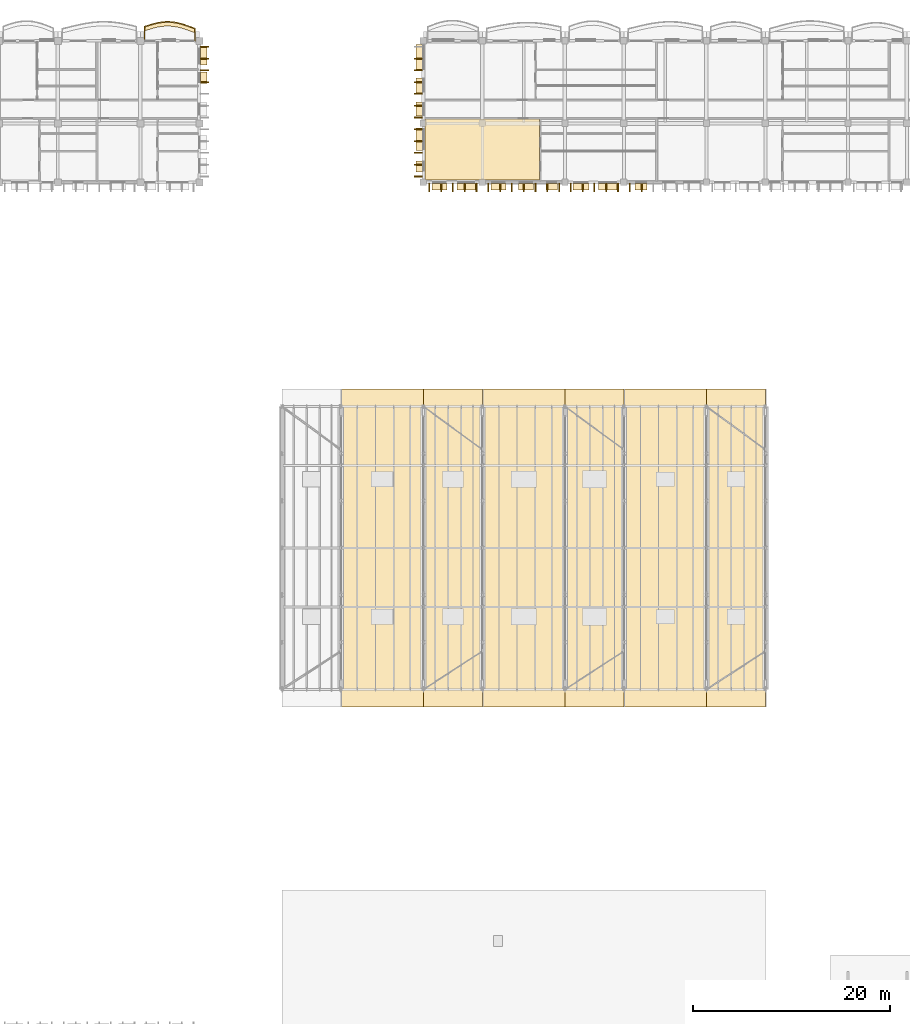
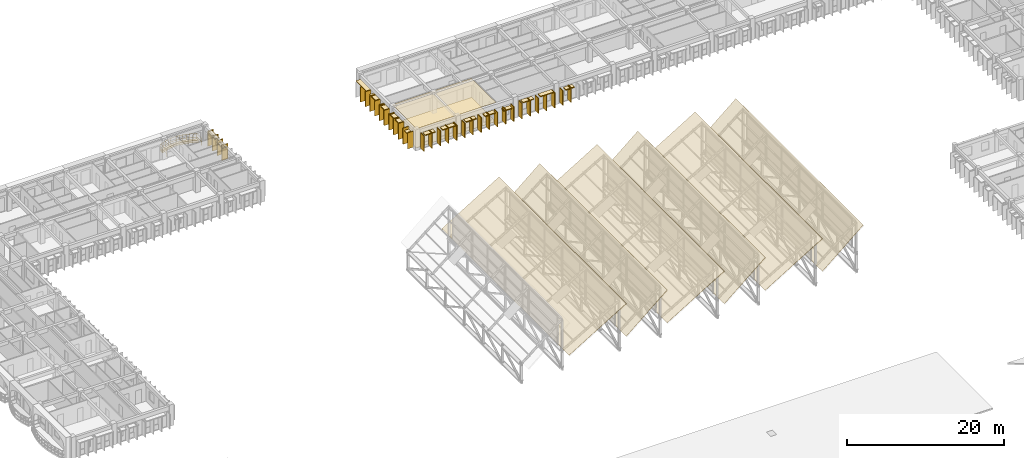
# One storey, part 84 of 101: 58 coverings, 1 railing.
"""IFC4 building model written with IfcOpenShell, lengths in metres."""

from ifc_helpers import new_model, si_unit, direction, frame, origin, origin_2d, place, context, subcontext, project, spatial, polyline, rectangle, outline, extrude, material, layer, layer_set, type_object, element, save


model = new_model("IFC4")

# Units and contexts
model_context = context("Model", 3, precision=1e-05, world=origin(), true_north=direction((0.0, 1.0)))
body_context = subcontext(model_context, "Body", "Model", "MODEL_VIEW")
ifc_project = project(units=[si_unit("LENGTHUNIT", "METRE"), si_unit("AREAUNIT", "SQUARE_METRE"), si_unit("VOLUMEUNIT", "CUBIC_METRE"), si_unit("PLANEANGLEUNIT", "RADIAN"), si_unit("MASSUNIT", "GRAM", prefix="KILO"), si_unit("THERMODYNAMICTEMPERATUREUNIT", "KELVIN")], contexts=[model_context])

# Site, building, storey
site_placement = place(None, origin())
site = spatial("IfcSite", under=ifc_project, at=site_placement, CompositionType="ELEMENT")
building_placement = place(site_placement, origin())
building = spatial("IfcBuilding", under=site, at=building_placement, Name="Thalorik Housing Commons", CompositionType="ELEMENT")
storey_placement = place(building_placement, frame((0.0, 0.0, 8.10009765625)))
storey = spatial("IfcBuildingStorey", under=building, at=storey_placement, Name="L02", CompositionType="ELEMENT", Elevation=8.10009765625)

# Coverings
ifc_material_1 = material(Name="Precast concrete C40/50", Category="concrete")
ifc_layer_1 = layer(ifc_material_1, 0.85009765625, Name="Precast concrete C40/50", Category="concrete")
ifc_layer_set_1 = layer_set([ifc_layer_1], Name="Precast concrete C40/50")
covering_type_1 = type_object("IfcCoveringType", Name="ARC-CLD-FIN-850", PredefinedType="CLADDING", material=ifc_layer_set_1)
for number, where, z_axis, x_axis, name in (
    (1, (58.132568359375, 119.39990234375, 0.0400390625), (0.0, 0.0, 1.0), (0.0, 1.0, 0.0), "L02 Courtyard Precast Vertical Brise-Soleil Fin 175"),
    (2, (58.132568359375, 120.60009765625, 0.0400390625), (0.0, 0.0, 1.0), (0.0, 1.0, 0.0), "L02 Courtyard Precast Vertical Brise-Soleil Fin 176"),
    (3, (58.132568359375, 121.800048828125, 0.0400390625), (0.0, 0.0, 1.0), (0.0, 1.0, 0.0), "L02 Courtyard Precast Vertical Brise-Soleil Fin 177"),
    (4, (58.132568359375, 123.0, 0.0400390625), (0.0, 0.0, 1.0), (0.0, 1.0, 0.0), "L02 Courtyard Precast Vertical Brise-Soleil Fin 178"),
    (5, (79.87255859375, 121.800048828125, 0.0400390625), (0.0, 0.0, 1.0), (0.0, -1.0, 0.0), "L02 Courtyard Precast Vertical Brise-Soleil Fin 1681"),
    (6, (79.87255859375, 120.60009765625, 0.0400390625), (0.0, 0.0, 1.0), (0.0, -1.0, 0.0), "L02 Courtyard Precast Vertical Brise-Soleil Fin 1682"),
    (7, (79.87255859375, 119.39990234375, 0.0400390625), (0.0, 0.0, 1.0), (0.0, -1.0, 0.0), "L02 Courtyard Precast Vertical Brise-Soleil Fin 1683"),
    (8, (79.87255859375, 118.199951171875, 0.0400390625), (0.0, 0.0, 1.0), (0.0, -1.0, 0.0), "L02 Courtyard Precast Vertical Brise-Soleil Fin 1684"),
    (9, (79.87255859375, 117.0, 0.0400390625), (0.0, 0.0, 1.0), (0.0, -1.0, 0.0), "L02 Courtyard Precast Vertical Brise-Soleil Fin 1685"),
    (10, (79.87255859375, 115.800048828125, 0.0400390625), (0.0, 0.0, 1.0), (0.0, -1.0, 0.0), "L02 Courtyard Precast Vertical Brise-Soleil Fin 1686"),
):
    element("IfcCovering", number, at=place(storey_placement, frame(where, z_axis=z_axis, x_axis=x_axis)), inside=storey, type_object=covering_type_1, Name=name, PredefinedType="CLADDING", context=body_context, shape_type="SweptSolid", body=[
        extrude(rectangle(XDim=0.110107421875, YDim=0.85009765625, at=origin_2d()), origin(), (0.0, 0.0, 1.0), 2.344970703125),
    ])
for number, where, z_axis, x_axis, name in (
    (11, (79.87255859375, 114.60009765625, 0.039794921875), (0.0, 0.0, 1.0), (0.0, -1.0, 0.0), "L02 Courtyard Precast Vertical Brise-Soleil Fin 1690"),
    (12, (79.87255859375, 113.39990234375, 0.039794921875), (0.0, 0.0, 1.0), (0.0, -1.0, 0.0), "L02 Courtyard Precast Vertical Brise-Soleil Fin 1691"),
    (13, (79.87255859375, 112.199951171875, 0.039794921875), (0.0, 0.0, 1.0), (0.0, -1.0, 0.0), "L02 Courtyard Precast Vertical Brise-Soleil Fin 1692"),
    (14, (79.87255859375, 111.0, 0.039794921875), (0.0, 0.0, 1.0), (0.0, -1.0, 0.0), "L02 Courtyard Precast Vertical Brise-Soleil Fin 1693"),
    (15, (79.87255859375, 109.800048828125, 0.039794921875), (0.0, 0.0, 1.0), (0.0, -1.0, 0.0), "L02 Courtyard Precast Vertical Brise-Soleil Fin 1694"),
):
    element("IfcCovering", number, at=place(storey_placement, frame(where, z_axis=z_axis, x_axis=x_axis)), inside=storey, type_object=covering_type_1, Name=name, PredefinedType="CLADDING", context=body_context, shape_type="SweptSolid", body=[
        extrude(rectangle(XDim=0.110107421875, YDim=0.85009765625, at=origin_2d()), origin(), (0.0, 0.0, 1.0), 2.4951171875),
    ])
for number, where, z_axis, x_axis, name in (
    (16, (81.0, 108.672607421875, 0.039794921875), (0.0, 0.0, 1.0), (1.0, 0.0, 0.0), "L02 Courtyard Precast Vertical Brise-Soleil Fin 1697"),
    (17, (82.199951171875, 108.672607421875, 0.039794921875), (0.0, 0.0, 1.0), (1.0, 0.0, 0.0), "L02 Courtyard Precast Vertical Brise-Soleil Fin 1698"),
    (18, (83.39990234375, 108.672607421875, 0.039794921875), (0.0, 0.0, 1.0), (1.0, 0.0, 0.0), "L02 Courtyard Precast Vertical Brise-Soleil Fin 1699"),
    (19, (84.60009765625, 108.672607421875, 0.039794921875), (0.0, 0.0, 1.0), (1.0, 0.0, 0.0), "L02 Courtyard Precast Vertical Brise-Soleil Fin 1700"),
    (20, (85.800048828125, 108.672607421875, 0.039794921875), (0.0, 0.0, 1.0), (1.0, 0.0, 0.0), "L02 Courtyard Precast Vertical Brise-Soleil Fin 1701"),
):
    element("IfcCovering", number, at=place(storey_placement, frame(where, z_axis=z_axis, x_axis=x_axis)), inside=storey, type_object=covering_type_1, Name=name, PredefinedType="CLADDING", context=body_context, shape_type="SweptSolid", body=[
        extrude(rectangle(XDim=0.110107421875, YDim=0.85009765625, at=origin_2d()), origin(), (0.0, 0.0, 1.0), 2.39501953125),
    ])
for number, where, z_axis, x_axis, name in (
    (21, (87.0, 108.672607421875, 0.0400390625), (0.0, 0.0, 1.0), (1.0, 0.0, 0.0), "L02 Courtyard Precast Vertical Brise-Soleil Fin 1704"),
    (22, (88.199951171875, 108.672607421875, 0.0400390625), (0.0, 0.0, 1.0), (1.0, 0.0, 0.0), "L02 Courtyard Precast Vertical Brise-Soleil Fin 1705"),
    (23, (89.39990234375, 108.672607421875, 0.0400390625), (0.0, 0.0, 1.0), (1.0, 0.0, 0.0), "L02 Courtyard Precast Vertical Brise-Soleil Fin 1706"),
    (24, (90.60009765625, 108.672607421875, 0.0400390625), (0.0, 0.0, 1.0), (1.0, 0.0, 0.0), "L02 Courtyard Precast Vertical Brise-Soleil Fin 1707"),
    (25, (91.800048828125, 108.672607421875, 0.0400390625), (0.0, 0.0, 1.0), (1.0, 0.0, 0.0), "L02 Courtyard Precast Vertical Brise-Soleil Fin 1708"),
    (26, (93.0, 108.672607421875, 0.0400390625), (0.0, 0.0, 1.0), (1.0, 0.0, 0.0), "L02 Courtyard Precast Vertical Brise-Soleil Fin 1709"),
    (27, (94.199951171875, 108.672607421875, 0.0400390625), (0.0, 0.0, 1.0), (1.0, 0.0, 0.0), "L02 Courtyard Precast Vertical Brise-Soleil Fin 1710"),
):
    element("IfcCovering", number, at=place(storey_placement, frame(where, z_axis=z_axis, x_axis=x_axis)), inside=storey, type_object=covering_type_1, Name=name, PredefinedType="CLADDING", context=body_context, shape_type="SweptSolid", body=[
        extrude(rectangle(XDim=0.110107421875, YDim=0.85009765625, at=origin_2d()), origin(), (0.0, 0.0, 1.0), 2.294921875),
    ])
for number, where, z_axis, x_axis, name in (
    (28, (95.39990234375, 108.672607421875, 0.039794921875), (0.0, 0.0, 1.0), (1.0, 0.0, 0.0), "L02 Courtyard Precast Vertical Brise-Soleil Fin 1714"),
    (29, (96.60009765625, 108.672607421875, 0.039794921875), (0.0, 0.0, 1.0), (1.0, 0.0, 0.0), "L02 Courtyard Precast Vertical Brise-Soleil Fin 1715"),
    (30, (97.800048828125, 108.672607421875, 0.039794921875), (0.0, 0.0, 1.0), (1.0, 0.0, 0.0), "L02 Courtyard Precast Vertical Brise-Soleil Fin 1716"),
    (31, (99.0, 108.672607421875, 0.039794921875), (0.0, 0.0, 1.0), (1.0, 0.0, 0.0), "L02 Courtyard Precast Vertical Brise-Soleil Fin 1717"),
    (32, (100.199951171875, 108.672607421875, 0.039794921875), (0.0, 0.0, 1.0), (1.0, 0.0, 0.0), "L02 Courtyard Precast Vertical Brise-Soleil Fin 1718"),
):
    element("IfcCovering", number, at=place(storey_placement, frame(where, z_axis=z_axis, x_axis=x_axis)), inside=storey, type_object=covering_type_1, Name=name, PredefinedType="CLADDING", context=body_context, shape_type="SweptSolid", body=[
        extrude(rectangle(XDim=0.110107421875, YDim=0.85009765625, at=origin_2d()), origin(), (0.0, 0.0, 1.0), 2.39501953125),
    ])
for number, where, z_axis, x_axis, name in (
    (33, (101.39990234375, 108.672607421875, 0.0400390625), (0.0, 0.0, 1.0), (1.0, 0.0, 0.0), "L02 Courtyard Precast Vertical Brise-Soleil Fin 1721"),
    (34, (102.60009765625, 108.672607421875, 0.0400390625), (0.0, 0.0, 1.0), (1.0, 0.0, 0.0), "L02 Courtyard Precast Vertical Brise-Soleil Fin 1722"),
):
    element("IfcCovering", number, at=place(storey_placement, frame(where, z_axis=z_axis, x_axis=x_axis)), inside=storey, type_object=covering_type_1, Name=name, PredefinedType="CLADDING", context=body_context, shape_type="SweptSolid", body=[
        extrude(rectangle(XDim=0.110107421875, YDim=0.85009765625, at=origin_2d()), origin(), (0.0, 0.0, 1.0), 2.294921875),
    ])
ifc_layer_2 = layer(ifc_material_1, 0.64990234375, Name="Precast concrete C40/50", Category="concrete")
ifc_layer_set_2 = layer_set([ifc_layer_2], Name="Precast concrete C40/50")
covering_type_2 = type_object("IfcCoveringType", Name="ARC-CLD-HOOD-650", PredefinedType="CLADDING", material=ifc_layer_set_2)
covering_1_placement = place(storey_placement, frame((58.032470703125, 119.8447265625, 1.93994140625), z_axis=(0.0, 0.0, 1.0), x_axis=(0.0, 1.0, 0.0)))
element("IfcCovering", 35, at=covering_1_placement, inside=storey, type_object=covering_type_2, Name="L02 Courtyard Precast Window Sun-Hood 180", PredefinedType="CLADDING", context=body_context, shape_type="SweptSolid", body=[
    extrude(rectangle(XDim=1.18994140625, YDim=0.64990234375, at=origin_2d()), origin(), (0.0, 0.0, 1.0), 0.139892578125),
])
covering_2_placement = place(storey_placement, frame((58.032470703125, 122.044677734375, 2.18994140625), z_axis=(0.0, 0.0, 1.0), x_axis=(0.0, 1.0, 0.0)))
element("IfcCovering", 36, at=covering_2_placement, inside=storey, type_object=covering_type_2, Name="L02 Courtyard Precast Window Sun-Hood 181", PredefinedType="CLADDING", context=body_context, shape_type="SweptSolid", body=[
    extrude(rectangle(XDim=1.7900390625, YDim=0.64990234375, at=origin_2d()), origin(), (0.0, 0.0, 1.0), 0.139892578125),
])
covering_3_placement = place(storey_placement, frame((79.972412109375, 121.91748046875, 2.27001953125), z_axis=(0.0, 0.0, 1.0), x_axis=(0.0, -1.0, 0.0)))
element("IfcCovering", 37, at=covering_3_placement, inside=storey, type_object=covering_type_2, Name="L02 Courtyard Precast Window Sun-Hood 1687", PredefinedType="CLADDING", context=body_context, shape_type="SweptSolid", body=[
    extrude(rectangle(XDim=2.6201171875, YDim=0.64990234375, at=origin_2d()), origin(), (0.0, 0.0, 1.0), 0.139892578125),
])
covering_4_placement = place(storey_placement, frame((79.972412109375, 119.072509765625, 2.18994140625), z_axis=(0.0, 0.0, 1.0), x_axis=(0.0, -1.0, 0.0)))
element("IfcCovering", 38, at=covering_4_placement, inside=storey, type_object=covering_type_2, Name="L02 Courtyard Precast Window Sun-Hood 1688", PredefinedType="CLADDING", context=body_context, shape_type="SweptSolid", body=[
    extrude(rectangle(XDim=1.5400390625, YDim=0.64990234375, at=origin_2d()), origin(), (0.0, 0.0, 1.0), 0.139892578125),
])
covering_5_placement = place(storey_placement, frame((79.972412109375, 116.64990234375, 2.14013671875), z_axis=(0.0, 0.0, 1.0), x_axis=(0.0, -1.0, 0.0)))
element("IfcCovering", 39, at=covering_5_placement, inside=storey, type_object=covering_type_2, Name="L02 Courtyard Precast Window Sun-Hood 1689", PredefinedType="CLADDING", context=body_context, shape_type="SweptSolid", body=[
    extrude(rectangle(XDim=1.43994140625, YDim=0.64990234375, at=origin_2d()), origin(), (0.0, 0.0, 1.0), 0.139892578125),
])
covering_6_placement = place(storey_placement, frame((79.972412109375, 113.570068359375, 2.25), z_axis=(0.0, 0.0, 1.0), x_axis=(0.0, -1.0, 0.0)))
element("IfcCovering", 40, at=covering_6_placement, inside=storey, type_object=covering_type_2, Name="L02 Courtyard Precast Window Sun-Hood 1695", PredefinedType="CLADDING", context=body_context, shape_type="SweptSolid", body=[
    extrude(rectangle(XDim=2.280029296875, YDim=0.64990234375, at=origin_2d()), origin(), (0.0, 0.0, 1.0), 0.139892578125),
])
covering_7_placement = place(storey_placement, frame((79.972412109375, 110.830078125, 1.98974609375), z_axis=(0.0, 0.0, 1.0), x_axis=(0.0, -1.0, 0.0)))
element("IfcCovering", 41, at=covering_7_placement, inside=storey, type_object=covering_type_2, Name="L02 Courtyard Precast Window Sun-Hood 1696", PredefinedType="CLADDING", context=body_context, shape_type="SweptSolid", body=[
    extrude(rectangle(XDim=1.139892578125, YDim=0.64990234375, at=origin_2d()), origin(), (0.0, 0.0, 1.0), 0.139892578125),
])
covering_8_placement = place(storey_placement, frame((82.030029296875, 108.7724609375, 2.23974609375), z_axis=(0.0, 0.0, 1.0), x_axis=(1.0, 0.0, 0.0)))
element("IfcCovering", 42, at=covering_8_placement, inside=storey, type_object=covering_type_2, Name="L02 Courtyard Precast Window Sun-Hood 1702", PredefinedType="CLADDING", context=body_context, shape_type="SweptSolid", body=[
    extrude(rectangle(XDim=1.489990234375, YDim=0.64990234375, at=origin_2d()), origin(), (0.0, 0.0, 1.0), 0.139892578125),
])
covering_9_placement = place(storey_placement, frame((84.77001953125, 108.7724609375, 2.169921875), z_axis=(0.0, 0.0, 1.0), x_axis=(1.0, 0.0, 0.0)))
element("IfcCovering", 43, at=covering_9_placement, inside=storey, type_object=covering_type_2, Name="L02 Courtyard Precast Window Sun-Hood 1703", PredefinedType="CLADDING", context=body_context, shape_type="SweptSolid", body=[
    extrude(rectangle(XDim=1.860107421875, YDim=0.64990234375, at=origin_2d()), origin(), (0.0, 0.0, 1.0), 0.139892578125),
])
covering_10_placement = place(storey_placement, frame((88.050048828125, 108.7724609375, 2.18994140625), z_axis=(0.0, 0.0, 1.0), x_axis=(1.0, 0.0, 0.0)))
element("IfcCovering", 44, at=covering_10_placement, inside=storey, type_object=covering_type_2, Name="L02 Courtyard Precast Window Sun-Hood 1711", PredefinedType="CLADDING", context=body_context, shape_type="SweptSolid", body=[
    extrude(rectangle(XDim=1.5400390625, YDim=0.64990234375, at=origin_2d()), origin(), (0.0, 0.0, 1.0), 0.139892578125),
])
covering_11_placement = place(storey_placement, frame((90.830078125, 108.7724609375, 2.08984375), z_axis=(0.0, 0.0, 1.0), x_axis=(1.0, 0.0, 0.0)))
element("IfcCovering", 45, at=covering_11_placement, inside=storey, type_object=covering_type_2, Name="L02 Courtyard Precast Window Sun-Hood 1712", PredefinedType="CLADDING", context=body_context, shape_type="SweptSolid", body=[
    extrude(rectangle(XDim=1.489990234375, YDim=0.64990234375, at=origin_2d()), origin(), (0.0, 0.0, 1.0), 0.139892578125),
])
covering_12_placement = place(storey_placement, frame((93.449951171875, 108.7724609375, 1.93994140625), z_axis=(0.0, 0.0, 1.0), x_axis=(1.0, 0.0, 0.0)))
element("IfcCovering", 46, at=covering_12_placement, inside=storey, type_object=covering_type_2, Name="L02 Courtyard Precast Window Sun-Hood 1713", PredefinedType="CLADDING", context=body_context, shape_type="SweptSolid", body=[
    extrude(rectangle(XDim=1.18994140625, YDim=0.64990234375, at=origin_2d()), origin(), (0.0, 0.0, 1.0), 0.139892578125),
])
covering_13_placement = place(storey_placement, frame((96.429931640625, 108.7724609375, 2.27001953125), z_axis=(0.0, 0.0, 1.0), x_axis=(1.0, 0.0, 0.0)))
element("IfcCovering", 47, at=covering_13_placement, inside=storey, type_object=covering_type_2, Name="L02 Courtyard Precast Window Sun-Hood 1719", PredefinedType="CLADDING", context=body_context, shape_type="SweptSolid", body=[
    extrude(rectangle(XDim=1.6201171875, YDim=0.64990234375, at=origin_2d()), origin(), (0.0, 0.0, 1.0), 0.139892578125),
])
covering_14_placement = place(storey_placement, frame((99.169921875, 108.7724609375, 2.31005859375), z_axis=(0.0, 0.0, 1.0), x_axis=(1.0, 0.0, 0.0)))
element("IfcCovering", 48, at=covering_14_placement, inside=storey, type_object=covering_type_2, Name="L02 Courtyard Precast Window Sun-Hood 1720", PredefinedType="CLADDING", context=body_context, shape_type="SweptSolid", body=[
    extrude(rectangle(XDim=1.9599609375, YDim=0.64990234375, at=origin_2d()), origin(), (0.0, 0.0, 1.0), 0.139892578125),
])
covering_15_placement = place(storey_placement, frame((102.554931640625, 108.7724609375, 2.0400390625), z_axis=(0.0, 0.0, 1.0), x_axis=(1.0, 0.0, 0.0)))
element("IfcCovering", 49, at=covering_15_placement, inside=storey, type_object=covering_type_2, Name="L02 Courtyard Precast Window Sun-Hood 1728", PredefinedType="CLADDING", context=body_context, shape_type="SweptSolid", body=[
    extrude(rectangle(XDim=1.239990234375, YDim=0.64990234375, at=origin_2d()), origin(), (0.0, 0.0, 1.0), 0.139892578125),
])
ifc_material_2 = material(Name="Moisture-resistant gypsum bathroom ceiling")
ifc_layer_3 = layer(ifc_material_2, 0.02490234375, Name="Moisture-resistant gypsum bathroom ceiling")
ifc_layer_set_3 = layer_set([ifc_layer_3], Name="Moisture-resistant gypsum bathroom ceiling")
covering_type_3 = type_object("IfcCoveringType", Name="ARC-COV-CEIL-04", PredefinedType="CEILING", material=ifc_layer_set_3)
covering_16_placement = place(storey_placement, frame((0.0, 0.0, 2.974853515625)))
element("IfcCovering", 50, at=covering_16_placement, inside=storey, type_object=covering_type_3, Name="L02 Living Dining Room Suspended Ceiling", PredefinedType="CEILING", context=body_context, shape_type="SweptSolid", body=[
    extrude(outline(polyline([(92.219970703125, 109.43994140625), (92.219970703125, 115.639892578125), (80.5400390625, 115.639892578125), (80.5400390625, 109.43994140625), (92.219970703125, 109.43994140625)])), origin(), (0.0, 0.0, 1.0), 0.025146484375),
])
ifc_material_3 = material(Name="Sprung Brazilian oak assembly hall timber floor", Category="wood")
ifc_layer_4 = layer(ifc_material_3, 0.02392578125, Name="Sprung Brazilian oak assembly hall timber floor", Category="wood")
ifc_layer_set_4 = layer_set([ifc_layer_4], Name="Sprung Brazilian oak assembly hall timber floor")
covering_type_4 = type_object("IfcCoveringType", Name="ARC-COV-FLR-04", PredefinedType="FLOORING", material=ifc_layer_set_4)
covering_17_placement = place(storey_placement, origin())
element("IfcCovering", 51, at=covering_17_placement, inside=storey, type_object=covering_type_4, Name="L02 Living Dining Room Flooring", PredefinedType="FLOORING", context=body_context, shape_type="SweptSolid", body=[
    extrude(outline(polyline([(92.219970703125, 109.43994140625), (92.219970703125, 115.639892578125), (80.5400390625, 115.639892578125), (80.5400390625, 109.43994140625), (92.219970703125, 109.43994140625)])), origin(), (0.0, 0.0, 1.0), 0.02392578125),
])
ifc_material_4 = material(Name="Planted vegetated substrate and terracotta trough", Category="masonry")
ifc_layer_5 = layer(ifc_material_4, 0.340087890625, Name="Planted vegetated substrate and terracotta trough", Category="masonry")
ifc_layer_set_5 = layer_set([ifc_layer_5], Name="Planted vegetated substrate and terracotta trough")
covering_type_5 = type_object("IfcCoveringType", Name="ARC-COV-PLANTER", PredefinedType="USERDEFINED", material=ifc_layer_set_5)
covering_18_placement = place(storey_placement, origin())
element("IfcCovering", 52, at=covering_18_placement, inside=storey, type_object=covering_type_5, Name="L02 Balcony Slab-Edge Planted Trough 5321", ObjectType="PLANTER", PredefinedType="USERDEFINED", context=body_context, shape_type="SweptSolid", body=[
    extrude(outline(polyline([(57.179931640625, 124.781982421875), (56.75, 124.946533203125), (56.320068359375, 125.10400390625), (55.889892578125, 125.244384765625), (55.4599609375, 125.358154296875), (55.030029296875, 125.4384765625), (54.60009765625, 125.480224609375), (54.169921875, 125.481201171875), (53.739990234375, 125.4423828125), (53.31005859375, 125.366943359375), (52.8798828125, 125.260986328125), (52.449951171875, 125.1318359375), (52.02001953125, 124.989501953125), (52.02001953125, 124.609619140625), (52.449951171875, 124.751953125), (52.8798828125, 124.880859375), (53.31005859375, 124.987060546875), (53.739990234375, 125.0625), (54.169921875, 125.101318359375), (54.60009765625, 125.10009765625), (55.030029296875, 125.058349609375), (55.4599609375, 124.978271484375), (55.889892578125, 124.864501953125), (56.320068359375, 124.72412109375), (56.75, 124.56640625), (57.179931640625, 124.402099609375), (57.179931640625, 124.781982421875)])), origin(), (0.0, 0.0, 1.0), 0.33984375),
])

# Railing
ifc_material_5 = material(Name="Steel S355", Category="steel")
railing_type = type_object("IfcRailingType", Name="ARC-RL-BAL-115", PredefinedType="BALUSTRADE", material=ifc_material_5)
railing_placement = place(storey_placement, frame((57.179931640625, 123.60009765625, 0.0)))
element("IfcRailing", 53, at=railing_placement, inside=storey, type_object=railing_type, Name="L02 Cushion Balcony Guardrail 5", PredefinedType="BALUSTRADE", context=body_context, shape_type="SweptSolid", body=[
    extrude(rectangle(XDim=0.050048828125, YDim=0.050048828125, at=origin_2d()), frame((0.0, 0.0, 1.125), z_axis=(0.0, 1.0, 0.0), x_axis=(-1.0, 0.0, 0.0)), (0.0, 0.0, 1.0), 1.251953125),
    extrude(rectangle(XDim=0.050048828125, YDim=0.050048828125, at=origin_2d()), frame((0.0, 0.0, 0.5498046875), z_axis=(0.0, 1.0, 0.0), x_axis=(-1.0, 0.0, 0.0)), (0.0, 0.0, 1.0), 1.251953125),
    extrude(rectangle(XDim=0.050048828125, YDim=0.050048828125, at=origin_2d()), frame((0.0, 1.251953125, 1.125), z_axis=(-0.933932105252, 0.357450448007, 0.0), x_axis=(-0.357450448007, -0.933932105252, 0.0)), (0.0, 0.0, 1.0), 0.46044921875),
    extrude(rectangle(XDim=0.050048828125, YDim=0.050048828125, at=origin_2d()), frame((0.0, 1.251953125, 0.5498046875), z_axis=(-0.933932105252, 0.357450448007, 0.0), x_axis=(-0.357450448007, -0.933932105252, 0.0)), (0.0, 0.0, 1.0), 0.46044921875),
    extrude(rectangle(XDim=0.050048828125, YDim=0.050048828125, at=origin_2d()), frame((-0.429931640625, 1.41650390625, 1.125), z_axis=(-0.938996898156, 0.343925610057, 0.0), x_axis=(-0.343925610057, -0.938996898156, 0.0)), (0.0, 0.0, 1.0), 0.457763671875),
    extrude(rectangle(XDim=0.050048828125, YDim=0.050048828125, at=origin_2d()), frame((-0.429931640625, 1.41650390625, 0.5498046875), z_axis=(-0.938996898156, 0.343925610057, 0.0), x_axis=(-0.343925610057, -0.938996898156, 0.0)), (0.0, 0.0, 1.0), 0.457763671875),
    extrude(rectangle(XDim=0.050048828125, YDim=0.050048828125, at=origin_2d()), frame((-0.85986328125, 1.573974609375, 1.125), z_axis=(-0.950660674231, 0.310232626381, 0.0), x_axis=(-0.310232626381, -0.950660674231, 0.0)), (0.0, 0.0, 1.0), 0.452392578125),
    extrude(rectangle(XDim=0.050048828125, YDim=0.050048828125, at=origin_2d()), frame((-0.85986328125, 1.573974609375, 0.5498046875), z_axis=(-0.950660674231, 0.310232626381, 0.0), x_axis=(-0.310232626381, -0.950660674231, 0.0)), (0.0, 0.0, 1.0), 0.452392578125),
    extrude(rectangle(XDim=0.050048828125, YDim=0.050048828125, at=origin_2d()), frame((-1.2900390625, 1.71435546875, 1.125), z_axis=(-0.966725195305, 0.25581711585, 0.0), x_axis=(-0.25581711585, -0.966725195305, 0.0)), (0.0, 0.0, 1.0), 0.44482421875),
    extrude(rectangle(XDim=0.050048828125, YDim=0.050048828125, at=origin_2d()), frame((-1.2900390625, 1.71435546875, 0.5498046875), z_axis=(-0.966725195305, 0.25581711585, 0.0), x_axis=(-0.25581711585, -0.966725195305, 0.0)), (0.0, 0.0, 1.0), 0.44482421875),
    extrude(rectangle(XDim=0.050048828125, YDim=0.050048828125, at=origin_2d()), frame((-1.719970703125, 1.828125, 1.125), z_axis=(-0.983092675585, 0.183108686878, 0.0), x_axis=(-0.183108686878, -0.983092675585, 0.0)), (0.0, 0.0, 1.0), 0.437255859375),
    extrude(rectangle(XDim=0.050048828125, YDim=0.050048828125, at=origin_2d()), frame((-1.719970703125, 1.828125, 0.5498046875), z_axis=(-0.983092675585, 0.183108686878, 0.0), x_axis=(-0.183108686878, -0.983092675585, 0.0)), (0.0, 0.0, 1.0), 0.437255859375),
    extrude(rectangle(XDim=0.050048828125, YDim=0.050048828125, at=origin_2d()), frame((-2.14990234375, 1.908203125, 1.125), z_axis=(-0.995263970634, 0.097209200993, 0.0), x_axis=(-0.097209200993, -0.995263970634, 0.0)), (0.0, 0.0, 1.0), 0.431884765625),
    extrude(rectangle(XDim=0.050048828125, YDim=0.050048828125, at=origin_2d()), frame((-2.14990234375, 1.908203125, 0.5498046875), z_axis=(-0.995263970634, 0.097209200993, 0.0), x_axis=(-0.097209200993, -0.995263970634, 0.0)), (0.0, 0.0, 1.0), 0.431884765625),
    extrude(rectangle(XDim=0.050048828125, YDim=0.050048828125, at=origin_2d()), frame((-2.579833984375, 1.9501953125, 1.125), z_axis=(-0.999997423225, 0.00227014171, 0.0), x_axis=(-0.00227014171, -0.999997423225, 0.0)), (0.0, 0.0, 1.0), 0.43017578125),
    extrude(rectangle(XDim=0.050048828125, YDim=0.050048828125, at=origin_2d()), frame((-2.579833984375, 1.9501953125, 0.5498046875), z_axis=(-0.999997423225, 0.00227014171, 0.0), x_axis=(-0.00227014171, -0.999997423225, 0.0)), (0.0, 0.0, 1.0), 0.43017578125),
    extrude(rectangle(XDim=0.050048828125, YDim=0.050048828125, at=origin_2d()), frame((-3.010009765625, 1.951171875, 1.125), z_axis=(-0.995948647187, -0.089923813119, 0.0), x_axis=(0.089923813119, -0.995948647187, 0.0)), (0.0, 0.0, 1.0), 0.431640625),
    extrude(rectangle(XDim=0.050048828125, YDim=0.050048828125, at=origin_2d()), frame((-3.010009765625, 1.951171875, 0.5498046875), z_axis=(-0.995948647187, -0.089923813119, 0.0), x_axis=(0.089923813119, -0.995948647187, 0.0)), (0.0, 0.0, 1.0), 0.431640625),
    extrude(rectangle(XDim=0.050048828125, YDim=0.050048828125, at=origin_2d()), frame((-3.43994140625, 1.912353515625, 1.125), z_axis=(-0.984952013954, -0.17282803652, 0.0), x_axis=(0.17282803652, -0.984952013954, 0.0)), (0.0, 0.0, 1.0), 0.4365234375),
    extrude(rectangle(XDim=0.050048828125, YDim=0.050048828125, at=origin_2d()), frame((-3.43994140625, 1.912353515625, 0.5498046875), z_axis=(-0.984952013954, -0.17282803652, 0.0), x_axis=(0.17282803652, -0.984952013954, 0.0)), (0.0, 0.0, 1.0), 0.4365234375),
    extrude(rectangle(XDim=0.050048828125, YDim=0.050048828125, at=origin_2d()), frame((-3.869873046875, 1.8369140625, 1.125), z_axis=(-0.970851358426, -0.239682372824, 0.0), x_axis=(0.239682372824, -0.970851358426, 0.0)), (0.0, 0.0, 1.0), 0.443115234375),
    extrude(rectangle(XDim=0.050048828125, YDim=0.050048828125, at=origin_2d()), frame((-3.869873046875, 1.8369140625, 0.5498046875), z_axis=(-0.970851358426, -0.239682372824, 0.0), x_axis=(0.239682372824, -0.970851358426, 0.0)), (0.0, 0.0, 1.0), 0.443115234375),
    extrude(rectangle(XDim=0.050048828125, YDim=0.050048828125, at=origin_2d()), frame((-4.300048828125, 1.730712890625, 1.125), z_axis=(-0.957871185663, -0.287198174918, 0.0), x_axis=(0.287198174918, -0.957871185663, 0.0)), (0.0, 0.0, 1.0), 0.44873046875),
    extrude(rectangle(XDim=0.050048828125, YDim=0.050048828125, at=origin_2d()), frame((-4.300048828125, 1.730712890625, 0.5498046875), z_axis=(-0.957871185663, -0.287198174918, 0.0), x_axis=(0.287198174918, -0.957871185663, 0.0)), (0.0, 0.0, 1.0), 0.44873046875),
    extrude(rectangle(XDim=0.050048828125, YDim=0.050048828125, at=origin_2d()), frame((-4.72998046875, 1.601806640625, 1.125), z_axis=(-0.949328214695, -0.3142863993, 0.0), x_axis=(0.3142863993, -0.949328214695, 0.0)), (0.0, 0.0, 1.0), 0.452880859375),
    extrude(rectangle(XDim=0.050048828125, YDim=0.050048828125, at=origin_2d()), frame((-4.72998046875, 1.601806640625, 0.5498046875), z_axis=(-0.949328214695, -0.3142863993, 0.0), x_axis=(0.3142863993, -0.949328214695, 0.0)), (0.0, 0.0, 1.0), 0.452880859375),
    extrude(rectangle(XDim=0.050048828125, YDim=0.050048828125, at=origin_2d()), frame((-5.159912109375, 1.45947265625, 1.125), z_axis=(0.0, -1.0, 0.0), x_axis=(1.0, 0.0, 0.0)), (0.0, 0.0, 1.0), 1.45947265625),
    extrude(rectangle(XDim=0.050048828125, YDim=0.050048828125, at=origin_2d()), frame((-5.159912109375, 1.45947265625, 0.5498046875), z_axis=(0.0, -1.0, 0.0), x_axis=(1.0, 0.0, 0.0)), (0.0, 0.0, 1.0), 1.45947265625),
    extrude(rectangle(XDim=0.0419921875, YDim=0.0419921875, at=origin_2d()), origin(), (0.0, 0.0, 1.0), 1.099853515625),
    extrude(rectangle(XDim=0.0419921875, YDim=0.0419921875, at=origin_2d()), frame((0.0, 1.251953125, 0.0)), (0.0, 0.0, 1.0), 1.099853515625),
    extrude(rectangle(XDim=0.0419921875, YDim=0.0419921875, at=origin_2d()), frame((-0.429931640625, 1.41650390625, 0.0)), (0.0, 0.0, 1.0), 1.099853515625),
    extrude(rectangle(XDim=0.0419921875, YDim=0.0419921875, at=origin_2d()), frame((-0.85986328125, 1.573974609375, 0.0)), (0.0, 0.0, 1.0), 1.099853515625),
    extrude(rectangle(XDim=0.0419921875, YDim=0.0419921875, at=origin_2d()), frame((-1.2900390625, 1.71435546875, 0.0)), (0.0, 0.0, 1.0), 1.099853515625),
    extrude(rectangle(XDim=0.0419921875, YDim=0.0419921875, at=origin_2d()), frame((-1.719970703125, 1.828125, 0.0)), (0.0, 0.0, 1.0), 1.099853515625),
    extrude(rectangle(XDim=0.0419921875, YDim=0.0419921875, at=origin_2d()), frame((-2.14990234375, 1.908203125, 0.0)), (0.0, 0.0, 1.0), 1.099853515625),
    extrude(rectangle(XDim=0.0419921875, YDim=0.0419921875, at=origin_2d()), frame((-2.579833984375, 1.9501953125, 0.0)), (0.0, 0.0, 1.0), 1.099853515625),
    extrude(rectangle(XDim=0.0419921875, YDim=0.0419921875, at=origin_2d()), frame((-3.010009765625, 1.951171875, 0.0)), (0.0, 0.0, 1.0), 1.099853515625),
    extrude(rectangle(XDim=0.0419921875, YDim=0.0419921875, at=origin_2d()), frame((-3.43994140625, 1.912353515625, 0.0)), (0.0, 0.0, 1.0), 1.099853515625),
    extrude(rectangle(XDim=0.0419921875, YDim=0.0419921875, at=origin_2d()), frame((-3.869873046875, 1.8369140625, 0.0)), (0.0, 0.0, 1.0), 1.099853515625),
    extrude(rectangle(XDim=0.0419921875, YDim=0.0419921875, at=origin_2d()), frame((-4.300048828125, 1.730712890625, 0.0)), (0.0, 0.0, 1.0), 1.099853515625),
    extrude(rectangle(XDim=0.0419921875, YDim=0.0419921875, at=origin_2d()), frame((-4.72998046875, 1.601806640625, 0.0)), (0.0, 0.0, 1.0), 1.099853515625),
    extrude(rectangle(XDim=0.0419921875, YDim=0.0419921875, at=origin_2d()), frame((-5.159912109375, 1.45947265625, 0.0)), (0.0, 0.0, 1.0), 1.099853515625),
    extrude(rectangle(XDim=0.0419921875, YDim=0.0419921875, at=origin_2d()), frame((-5.159912109375, 0.0, 0.0)), (0.0, 0.0, 1.0), 1.099853515625),
])

# Coverings
ifc_material_6 = material(Name="Standing-seam aluminium and acoustic thermal roof build-up", Category="aluminium")
ifc_layer_6 = layer(ifc_material_6, 0.044921875, Name="Standing-seam aluminium and acoustic thermal roof build-up", Category="aluminium")
ifc_layer_set_6 = layer_set([ifc_layer_6], Name="Standing-seam aluminium and acoustic thermal roof build-up")
covering_type_6 = type_object("IfcCoveringType", Name="ARC-ROOF-SAW-45", PredefinedType="ROOFING", material=ifc_layer_set_6)
covering_19_placement = place(storey_placement, frame((72.0, 55.800048828125, 3.344970703125), z_axis=(-0.518971651103, 0.0, 0.854791451379), x_axis=(0.854791451379, 0.0, 0.518971651103)))
element("IfcCovering", 54, at=covering_19_placement, inside=storey, type_object=covering_type_6, Name="L02 Sawtooth Standing-Seam Roof 2", PredefinedType="ROOFING", context=body_context, shape_type="SweptSolid", body=[
    extrude(outline(polyline([(0.0, 0.0), (9.826844115247246, 0.0), (9.826844115247246, 32.39990234375), (0.0, 32.39990234375), (0.0, 0.0)])), origin(), (0.0, 0.0, -1.0), 0.044921875),
])
covering_20_placement = place(storey_placement, frame((80.39990234375, 55.800048828125, 3.344970703125), z_axis=(-0.647637620461, 0.0, 0.761948497317), x_axis=(0.761948497317, 0.0, 0.647637620461)))
element("IfcCovering", 55, at=covering_20_placement, inside=storey, type_object=covering_type_6, Name="L02 Sawtooth Standing-Seam Roof 3", PredefinedType="ROOFING", context=body_context, shape_type="SweptSolid", body=[
    extrude(outline(polyline([(0.0, 0.0), (7.874547979460958, 0.0), (7.874547979460958, 32.39990234375), (0.0, 32.39990234375), (0.0, 0.0)])), origin(), (0.0, 0.0, -1.0), 0.044921875),
])
covering_21_placement = place(storey_placement, frame((86.39990234375, 55.800048828125, 3.344970703125), z_axis=(-0.518960630071, 0.0, 0.854798142509), x_axis=(0.854798142509, 0.0, 0.518960630071)))
element("IfcCovering", 56, at=covering_21_placement, inside=storey, type_object=covering_type_6, Name="L02 Sawtooth Standing-Seam Roof 4", PredefinedType="ROOFING", context=body_context, shape_type="SweptSolid", body=[
    extrude(outline(polyline([(0.0, 0.0), (9.827052805383227, 0.0), (9.827052805383227, 32.39990234374999), (0.0, 32.39990234374999), (0.0, 0.0)])), origin(), (0.0, 0.0, -1.0), 0.044921875),
])
covering_22_placement = place(storey_placement, frame((94.800048828125, 55.800048828125, 3.344970703125), z_axis=(-0.647637620461, 0.0, 0.761948497317), x_axis=(0.761948497317, 0.0, 0.647637620461)))
element("IfcCovering", 57, at=covering_22_placement, inside=storey, type_object=covering_type_6, Name="L02 Sawtooth Standing-Seam Roof 5", PredefinedType="ROOFING", context=body_context, shape_type="SweptSolid", body=[
    extrude(outline(polyline([(0.0, 0.0), (7.874547979460958, 0.0), (7.874547979460958, 32.39990234375), (0.0, 32.39990234375), (0.0, 0.0)])), origin(), (0.0, 0.0, -1.0), 0.044921875),
])
covering_23_placement = place(storey_placement, frame((100.800048828125, 55.800048828125, 3.344970703125), z_axis=(-0.518971651103, 0.0, 0.854791451379), x_axis=(0.854791451379, 0.0, 0.518971651103)))
element("IfcCovering", 58, at=covering_23_placement, inside=storey, type_object=covering_type_6, Name="L02 Sawtooth Standing-Seam Roof 6", PredefinedType="ROOFING", context=body_context, shape_type="SweptSolid", body=[
    extrude(outline(polyline([(0.0, 0.0), (9.826844115247246, 0.0), (9.826844115247246, 32.39990234375), (0.0, 32.39990234375), (0.0, 0.0)])), origin(), (0.0, 0.0, -1.0), 0.044921875),
])
covering_24_placement = place(storey_placement, frame((109.199951171875, 55.800048828125, 3.344970703125), z_axis=(-0.647637620461, 0.0, 0.761948497317), x_axis=(0.761948497317, 0.0, 0.647637620461)))
element("IfcCovering", 59, at=covering_24_placement, inside=storey, type_object=covering_type_6, Name="L02 Sawtooth Standing-Seam Roof 7", PredefinedType="ROOFING", context=body_context, shape_type="SweptSolid", body=[
    extrude(outline(polyline([(0.0, 0.0), (7.874547979460958, 0.0), (7.874547979460958, 32.39990234375), (0.0, 32.39990234375), (0.0, 0.0)])), origin(), (0.0, 0.0, -1.0), 0.044921875),
])

save(model, "model.ifc")
